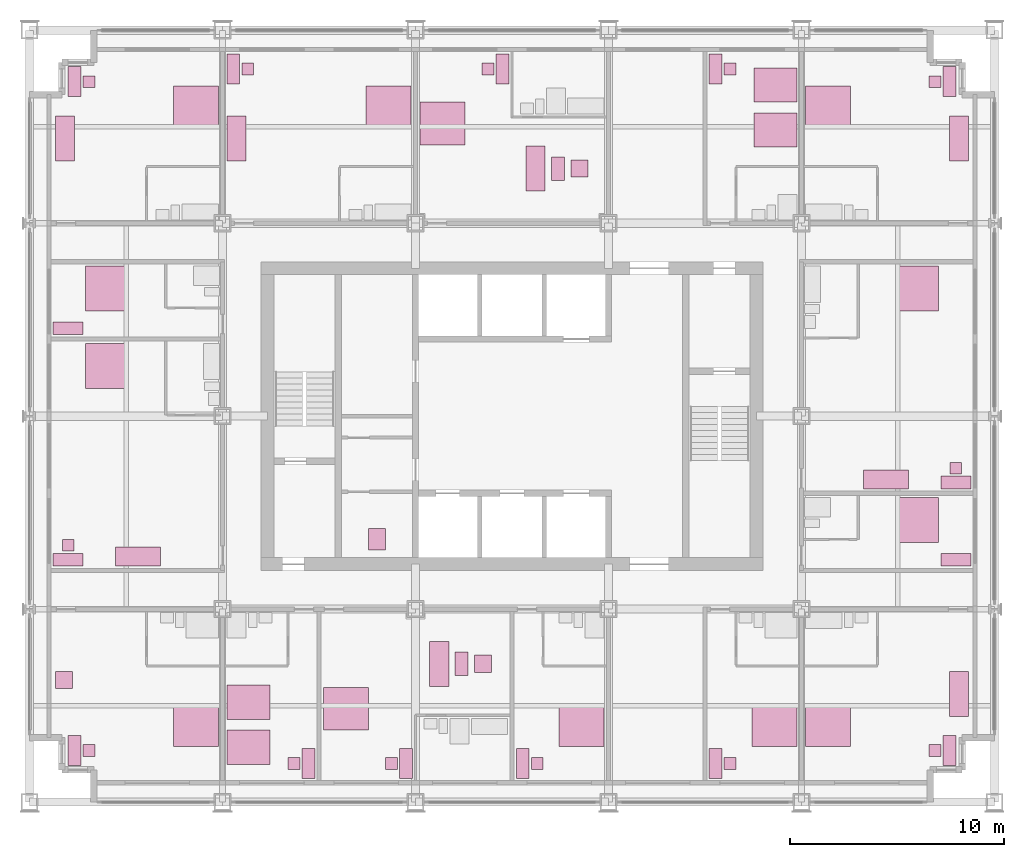
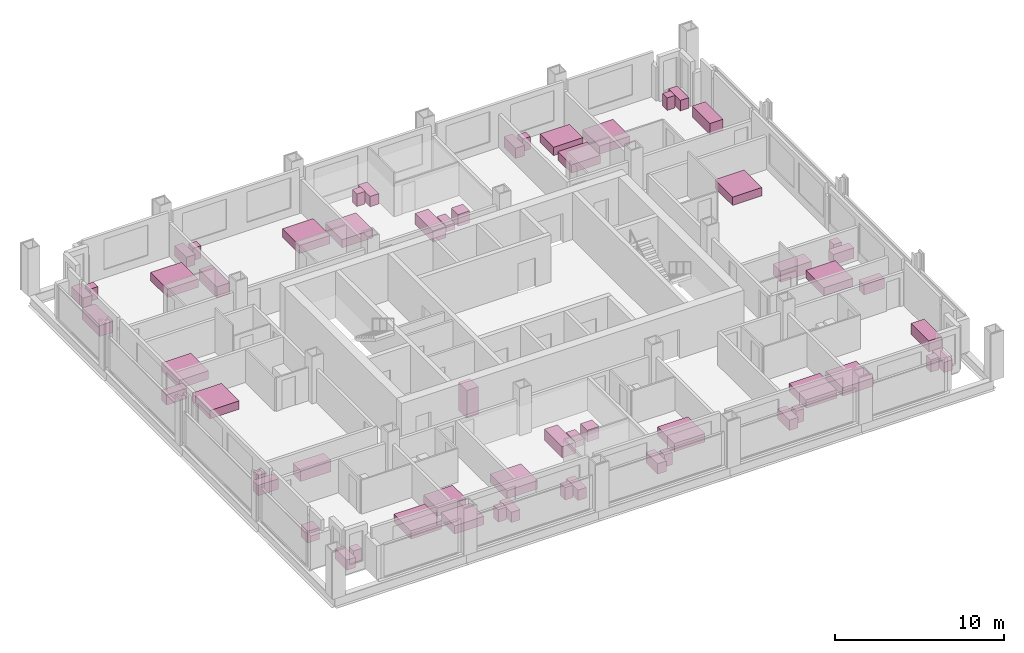
# One storey, part 16 of 16: 59 furniture elements.
"""IFC4 building model written with IfcOpenShell, lengths in metres."""

from ifc_helpers import new_model, si_unit, direction, frame, origin, origin_2d, place, context, subcontext, project, spatial, rectangle, extrude, element, save


model = new_model("IFC4")

# Units and contexts
model_context = context("Model", 3, precision=1e-05, world=origin(), true_north=direction((0.0, 1.0)))
body_context = subcontext(model_context, "Body", "Model", "MODEL_VIEW")
ifc_project = project(units=[si_unit("LENGTHUNIT", "METRE"), si_unit("AREAUNIT", "SQUARE_METRE"), si_unit("VOLUMEUNIT", "CUBIC_METRE"), si_unit("PLANEANGLEUNIT", "RADIAN"), si_unit("MASSUNIT", "GRAM", prefix="KILO")], contexts=[model_context])

# Site, building, storey
site_placement = place(None, origin())
site = spatial("IfcSite", under=ifc_project, at=site_placement, CompositionType="ELEMENT")
building_placement = place(site_placement, origin())
building = spatial("IfcBuilding", under=site, at=building_placement, Name="Loomwork Tower", CompositionType="ELEMENT")
storey_placement = place(building_placement, frame((0.0, 0.0, 118.0)))
storey = spatial("IfcBuildingStorey", under=building, at=storey_placement, Name="L31", CompositionType="ELEMENT", Elevation=118.0)

# Furniture
furniture_1_placement = place(storey_placement, frame((7.75, 3.60009765625, 0.0), z_axis=(0.0, 0.0, 1.0), x_axis=(1.0, 0.0, 0.0)))
element("IfcFurniture", 1, at=furniture_1_placement, inside=storey, Name="King bed L31", PredefinedType="BED", context=body_context, shape_type="SweptSolid", body=[
    extrude(rectangle(XDim=2.10009765625, YDim=2.0, at=origin_2d()), origin(), (0.0, 0.0, 1.0), 0.60009765625),
])
furniture_2_placement = place(storey_placement, frame((2.10009765625, 2.39990234375, 0.0), z_axis=(0.0, 0.0, 1.0), x_axis=(1.0, 0.0, 0.0)))
element("IfcFurniture", 2, at=furniture_2_placement, inside=storey, Name="Writing desk L31", PredefinedType="DESK", context=body_context, shape_type="SweptSolid", body=[
    extrude(rectangle(XDim=0.60009765625, YDim=1.39990234375, at=origin_2d()), origin(), (0.0, 0.0, 1.0), 0.75),
])
furniture_3_placement = place(storey_placement, frame((2.77490234375, 2.39990234375, 0.0), z_axis=(0.0, 0.0, 1.0), x_axis=(1.0, 0.0, 0.0)))
element("IfcFurniture", 3, at=furniture_3_placement, inside=storey, Name="Desk chair L31", PredefinedType="CHAIR", context=body_context, shape_type="SweptSolid", body=[
    extrude(rectangle(XDim=0.550048828125, YDim=0.550048828125, at=origin_2d()), origin(), (0.0, 0.0, 1.0), 0.89990234375),
])
furniture_4_placement = place(storey_placement, frame((1.60009765625, 5.699951171875, 0.0), z_axis=(0.0, 0.0, 1.0), x_axis=(1.0, 0.0, 0.0)))
element("IfcFurniture", 4, at=furniture_4_placement, inside=storey, Name="Lounge armchair L31", PredefinedType="CHAIR", context=body_context, shape_type="SweptSolid", body=[
    extrude(rectangle(XDim=0.800048828125, YDim=0.800048828125, at=origin_2d()), origin(), (0.0, 0.0, 1.0), 0.85009765625),
])
for number, where, z_axis, x_axis, name in (
    (5, (10.199951171875, 4.64990234375, 0.0), (0.0, 0.0, 1.0), (1.0, 0.0, 0.0), "Queen bed L31"),
    (6, (10.199951171875, 2.550048828125, 0.0), (0.0, 0.0, 1.0), (1.0, 0.0, 0.0), "Queen bed L31"),
):
    element("IfcFurniture", number, at=place(storey_placement, frame(where, z_axis=z_axis, x_axis=x_axis)), inside=storey, Name=name, PredefinedType="BED", context=body_context, shape_type="SweptSolid", body=[
        extrude(rectangle(XDim=2.0, YDim=1.60009765625, at=origin_2d()), origin(), (0.0, 0.0, 1.0), 0.60009765625),
    ])
furniture_5_placement = place(storey_placement, frame((13.0, 1.800048828125, 0.0), z_axis=(0.0, 0.0, 1.0), x_axis=(1.0, 0.0, 0.0)))
element("IfcFurniture", 7, at=furniture_5_placement, inside=storey, Name="Writing desk L31", PredefinedType="DESK", context=body_context, shape_type="SweptSolid", body=[
    extrude(rectangle(XDim=0.60009765625, YDim=1.39990234375, at=origin_2d()), origin(), (0.0, 0.0, 1.0), 0.75),
])
furniture_6_placement = place(storey_placement, frame((12.324951171875, 1.800048828125, 0.0), z_axis=(0.0, 0.0, 1.0), x_axis=(1.0, 0.0, 0.0)))
element("IfcFurniture", 8, at=furniture_6_placement, inside=storey, Name="Desk chair L31", PredefinedType="CHAIR", context=body_context, shape_type="SweptSolid", body=[
    extrude(rectangle(XDim=0.550048828125, YDim=0.550048828125, at=origin_2d()), origin(), (0.0, 0.0, 1.0), 0.89990234375),
])
furniture_7_placement = place(storey_placement, frame((14.75, 4.35009765625, 0.0), z_axis=(0.0, 0.0, 1.0), x_axis=(1.0, 0.0, 0.0)))
element("IfcFurniture", 9, at=furniture_7_placement, inside=storey, Name="King bed L31", PredefinedType="BED", context=body_context, shape_type="SweptSolid", body=[
    extrude(rectangle(XDim=2.10009765625, YDim=2.0, at=origin_2d()), origin(), (0.0, 0.0, 1.0), 0.60009765625),
])
furniture_8_placement = place(storey_placement, frame((17.550048828125, 1.800048828125, 0.0), z_axis=(0.0, 0.0, 1.0), x_axis=(1.0, 0.0, 0.0)))
element("IfcFurniture", 10, at=furniture_8_placement, inside=storey, Name="Writing desk L31", PredefinedType="DESK", context=body_context, shape_type="SweptSolid", body=[
    extrude(rectangle(XDim=0.60009765625, YDim=1.39990234375, at=origin_2d()), origin(), (0.0, 0.0, 1.0), 0.75),
])
furniture_9_placement = place(storey_placement, frame((16.875, 1.800048828125, 0.0), z_axis=(0.0, 0.0, 1.0), x_axis=(1.0, 0.0, 0.0)))
element("IfcFurniture", 11, at=furniture_9_placement, inside=storey, Name="Desk chair L31", PredefinedType="CHAIR", context=body_context, shape_type="SweptSolid", body=[
    extrude(rectangle(XDim=0.550048828125, YDim=0.550048828125, at=origin_2d()), origin(), (0.0, 0.0, 1.0), 0.89990234375),
])
furniture_10_placement = place(storey_placement, frame((19.10009765625, 6.449951171875, 0.0), z_axis=(0.0, 0.0, 1.0), x_axis=(1.0, 0.0, 0.0)))
element("IfcFurniture", 12, at=furniture_10_placement, inside=storey, Name="Sofa L31", PredefinedType="SOFA", context=body_context, shape_type="SweptSolid", body=[
    extrude(rectangle(XDim=0.89990234375, YDim=2.10009765625, at=origin_2d()), origin(), (0.0, 0.0, 1.0), 0.800048828125),
])
furniture_11_placement = place(storey_placement, frame((20.14990234375, 6.449951171875, 0.0), z_axis=(0.0, 0.0, 1.0), x_axis=(1.0, 0.0, 0.0)))
element("IfcFurniture", 13, at=furniture_11_placement, inside=storey, Name="Coffee table L31", PredefinedType="TABLE", context=body_context, shape_type="SweptSolid", body=[
    extrude(rectangle(XDim=0.60009765625, YDim=1.10009765625, at=origin_2d()), origin(), (0.0, 0.0, 1.0), 0.449951171875),
])
furniture_12_placement = place(storey_placement, frame((21.14990234375, 6.449951171875, 0.0), z_axis=(0.0, 0.0, 1.0), x_axis=(1.0, 0.0, 0.0)))
element("IfcFurniture", 14, at=furniture_12_placement, inside=storey, Name="Lounge armchair L31", PredefinedType="CHAIR", context=body_context, shape_type="SweptSolid", body=[
    extrude(rectangle(XDim=0.800048828125, YDim=0.800048828125, at=origin_2d()), origin(), (0.0, 0.0, 1.0), 0.85009765625),
])
furniture_13_placement = place(storey_placement, frame((25.75, 3.60009765625, 0.0), z_axis=(0.0, 0.0, 1.0), x_axis=(1.0, 0.0, 0.0)))
element("IfcFurniture", 15, at=furniture_13_placement, inside=storey, Name="King bed L31", PredefinedType="BED", context=body_context, shape_type="SweptSolid", body=[
    extrude(rectangle(XDim=2.10009765625, YDim=2.0, at=origin_2d()), origin(), (0.0, 0.0, 1.0), 0.60009765625),
])
furniture_14_placement = place(storey_placement, frame((23.0, 1.800048828125, 0.0), z_axis=(0.0, 0.0, 1.0), x_axis=(1.0, 0.0, 0.0)))
element("IfcFurniture", 16, at=furniture_14_placement, inside=storey, Name="Writing desk L31", PredefinedType="DESK", context=body_context, shape_type="SweptSolid", body=[
    extrude(rectangle(XDim=0.60009765625, YDim=1.39990234375, at=origin_2d()), origin(), (0.0, 0.0, 1.0), 0.75),
])
furniture_15_placement = place(storey_placement, frame((23.675048828125, 1.800048828125, 0.0), z_axis=(0.0, 0.0, 1.0), x_axis=(1.0, 0.0, 0.0)))
element("IfcFurniture", 17, at=furniture_15_placement, inside=storey, Name="Desk chair L31", PredefinedType="CHAIR", context=body_context, shape_type="SweptSolid", body=[
    extrude(rectangle(XDim=0.550048828125, YDim=0.550048828125, at=origin_2d()), origin(), (0.0, 0.0, 1.0), 0.89990234375),
])
furniture_16_placement = place(storey_placement, frame((34.75, 3.60009765625, 0.0), z_axis=(0.0, 0.0, 1.0), x_axis=(1.0, 0.0, 0.0)))
element("IfcFurniture", 18, at=furniture_16_placement, inside=storey, Name="King bed L31", PredefinedType="BED", context=body_context, shape_type="SweptSolid", body=[
    extrude(rectangle(XDim=2.10009765625, YDim=2.0, at=origin_2d()), origin(), (0.0, 0.0, 1.0), 0.60009765625),
])
furniture_17_placement = place(storey_placement, frame((32.0, 1.800048828125, 0.0), z_axis=(0.0, 0.0, 1.0), x_axis=(1.0, 0.0, 0.0)))
element("IfcFurniture", 19, at=furniture_17_placement, inside=storey, Name="Writing desk L31", PredefinedType="DESK", context=body_context, shape_type="SweptSolid", body=[
    extrude(rectangle(XDim=0.60009765625, YDim=1.39990234375, at=origin_2d()), origin(), (0.0, 0.0, 1.0), 0.75),
])
furniture_18_placement = place(storey_placement, frame((32.675048828125, 1.800048828125, 0.0), z_axis=(0.0, 0.0, 1.0), x_axis=(1.0, 0.0, 0.0)))
element("IfcFurniture", 20, at=furniture_18_placement, inside=storey, Name="Desk chair L31", PredefinedType="CHAIR", context=body_context, shape_type="SweptSolid", body=[
    extrude(rectangle(XDim=0.550048828125, YDim=0.550048828125, at=origin_2d()), origin(), (0.0, 0.0, 1.0), 0.89990234375),
])
furniture_19_placement = place(storey_placement, frame((37.25, 3.60009765625, 0.0), z_axis=(0.0, 0.0, 1.0), x_axis=(1.0, 0.0, 0.0)))
element("IfcFurniture", 21, at=furniture_19_placement, inside=storey, Name="King bed L31", PredefinedType="BED", context=body_context, shape_type="SweptSolid", body=[
    extrude(rectangle(XDim=2.10009765625, YDim=2.0, at=origin_2d()), origin(), (0.0, 0.0, 1.0), 0.60009765625),
])
furniture_20_placement = place(storey_placement, frame((42.89990234375, 2.39990234375, 0.0), z_axis=(0.0, 0.0, 1.0), x_axis=(1.0, 0.0, 0.0)))
element("IfcFurniture", 22, at=furniture_20_placement, inside=storey, Name="Writing desk L31", PredefinedType="DESK", context=body_context, shape_type="SweptSolid", body=[
    extrude(rectangle(XDim=0.60009765625, YDim=1.39990234375, at=origin_2d()), origin(), (0.0, 0.0, 1.0), 0.75),
])
furniture_21_placement = place(storey_placement, frame((42.22509765625, 2.39990234375, 0.0), z_axis=(0.0, 0.0, 1.0), x_axis=(1.0, 0.0, 0.0)))
element("IfcFurniture", 23, at=furniture_21_placement, inside=storey, Name="Desk chair L31", PredefinedType="CHAIR", context=body_context, shape_type="SweptSolid", body=[
    extrude(rectangle(XDim=0.550048828125, YDim=0.550048828125, at=origin_2d()), origin(), (0.0, 0.0, 1.0), 0.89990234375),
])
furniture_22_placement = place(storey_placement, frame((43.35009765625, 5.050048828125, 0.0), z_axis=(0.0, 0.0, 1.0), x_axis=(1.0, 0.0, 0.0)))
element("IfcFurniture", 24, at=furniture_22_placement, inside=storey, Name="Sofa L31", PredefinedType="SOFA", context=body_context, shape_type="SweptSolid", body=[
    extrude(rectangle(XDim=0.89990234375, YDim=2.10009765625, at=origin_2d()), origin(), (0.0, 0.0, 1.0), 0.800048828125),
])
furniture_23_placement = place(storey_placement, frame((7.75, 32.39990234375, 0.0), z_axis=(0.0, 0.0, 1.0), x_axis=(1.0, 0.0, 0.0)))
element("IfcFurniture", 25, at=furniture_23_placement, inside=storey, Name="King bed L31", PredefinedType="BED", context=body_context, shape_type="SweptSolid", body=[
    extrude(rectangle(XDim=2.10009765625, YDim=2.0, at=origin_2d()), origin(), (0.0, 0.0, 1.0), 0.60009765625),
])
furniture_24_placement = place(storey_placement, frame((2.10009765625, 33.60009765625, 0.0), z_axis=(0.0, 0.0, 1.0), x_axis=(1.0, 0.0, 0.0)))
element("IfcFurniture", 26, at=furniture_24_placement, inside=storey, Name="Writing desk L31", PredefinedType="DESK", context=body_context, shape_type="SweptSolid", body=[
    extrude(rectangle(XDim=0.60009765625, YDim=1.39990234375, at=origin_2d()), origin(), (0.0, 0.0, 1.0), 0.75),
])
furniture_25_placement = place(storey_placement, frame((2.77490234375, 33.60009765625, 0.0), z_axis=(0.0, 0.0, 1.0), x_axis=(1.0, 0.0, 0.0)))
element("IfcFurniture", 27, at=furniture_25_placement, inside=storey, Name="Desk chair L31", PredefinedType="CHAIR", context=body_context, shape_type="SweptSolid", body=[
    extrude(rectangle(XDim=0.550048828125, YDim=0.550048828125, at=origin_2d()), origin(), (0.0, 0.0, 1.0), 0.89990234375),
])
furniture_26_placement = place(storey_placement, frame((1.64990234375, 30.949951171875, 0.0), z_axis=(0.0, 0.0, 1.0), x_axis=(1.0, 0.0, 0.0)))
element("IfcFurniture", 28, at=furniture_26_placement, inside=storey, Name="Sofa L31", PredefinedType="SOFA", context=body_context, shape_type="SweptSolid", body=[
    extrude(rectangle(XDim=0.89990234375, YDim=2.10009765625, at=origin_2d()), origin(), (0.0, 0.0, 1.0), 0.800048828125),
])
furniture_27_placement = place(storey_placement, frame((16.75, 32.39990234375, 0.0), z_axis=(0.0, 0.0, 1.0), x_axis=(1.0, 0.0, 0.0)))
element("IfcFurniture", 29, at=furniture_27_placement, inside=storey, Name="King bed L31", PredefinedType="BED", context=body_context, shape_type="SweptSolid", body=[
    extrude(rectangle(XDim=2.10009765625, YDim=2.0, at=origin_2d()), origin(), (0.0, 0.0, 1.0), 0.60009765625),
])
furniture_28_placement = place(storey_placement, frame((9.5, 34.199951171875, 0.0), z_axis=(0.0, 0.0, 1.0), x_axis=(1.0, 0.0, 0.0)))
element("IfcFurniture", 30, at=furniture_28_placement, inside=storey, Name="Writing desk L31", PredefinedType="DESK", context=body_context, shape_type="SweptSolid", body=[
    extrude(rectangle(XDim=0.60009765625, YDim=1.39990234375, at=origin_2d()), origin(), (0.0, 0.0, 1.0), 0.75),
])
furniture_29_placement = place(storey_placement, frame((10.175048828125, 34.199951171875, 0.0), z_axis=(0.0, 0.0, 1.0), x_axis=(1.0, 0.0, 0.0)))
element("IfcFurniture", 31, at=furniture_29_placement, inside=storey, Name="Desk chair L31", PredefinedType="CHAIR", context=body_context, shape_type="SweptSolid", body=[
    extrude(rectangle(XDim=0.550048828125, YDim=0.550048828125, at=origin_2d()), origin(), (0.0, 0.0, 1.0), 0.89990234375),
])
furniture_30_placement = place(storey_placement, frame((9.64990234375, 30.949951171875, 0.0), z_axis=(0.0, 0.0, 1.0), x_axis=(1.0, 0.0, 0.0)))
element("IfcFurniture", 32, at=furniture_30_placement, inside=storey, Name="Sofa L31", PredefinedType="SOFA", context=body_context, shape_type="SweptSolid", body=[
    extrude(rectangle(XDim=0.89990234375, YDim=2.10009765625, at=origin_2d()), origin(), (0.0, 0.0, 1.0), 0.800048828125),
])
furniture_31_placement = place(storey_placement, frame((19.25, 31.64990234375, 0.0), z_axis=(0.0, 0.0, 1.0), x_axis=(1.0, 0.0, 0.0)))
element("IfcFurniture", 33, at=furniture_31_placement, inside=storey, Name="King bed L31", PredefinedType="BED", context=body_context, shape_type="SweptSolid", body=[
    extrude(rectangle(XDim=2.10009765625, YDim=2.0, at=origin_2d()), origin(), (0.0, 0.0, 1.0), 0.60009765625),
])
furniture_32_placement = place(storey_placement, frame((22.050048828125, 34.199951171875, 0.0), z_axis=(0.0, 0.0, 1.0), x_axis=(1.0, 0.0, 0.0)))
element("IfcFurniture", 34, at=furniture_32_placement, inside=storey, Name="Writing desk L31", PredefinedType="DESK", context=body_context, shape_type="SweptSolid", body=[
    extrude(rectangle(XDim=0.60009765625, YDim=1.39990234375, at=origin_2d()), origin(), (0.0, 0.0, 1.0), 0.75),
])
furniture_33_placement = place(storey_placement, frame((21.375, 34.199951171875, 0.0), z_axis=(0.0, 0.0, 1.0), x_axis=(1.0, 0.0, 0.0)))
element("IfcFurniture", 35, at=furniture_33_placement, inside=storey, Name="Desk chair L31", PredefinedType="CHAIR", context=body_context, shape_type="SweptSolid", body=[
    extrude(rectangle(XDim=0.550048828125, YDim=0.550048828125, at=origin_2d()), origin(), (0.0, 0.0, 1.0), 0.89990234375),
])
furniture_34_placement = place(storey_placement, frame((23.60009765625, 29.550048828125, 0.0), z_axis=(0.0, 0.0, 1.0), x_axis=(1.0, 0.0, 0.0)))
element("IfcFurniture", 36, at=furniture_34_placement, inside=storey, Name="Sofa L31", PredefinedType="SOFA", context=body_context, shape_type="SweptSolid", body=[
    extrude(rectangle(XDim=0.89990234375, YDim=2.10009765625, at=origin_2d()), origin(), (0.0, 0.0, 1.0), 0.800048828125),
])
furniture_35_placement = place(storey_placement, frame((24.64990234375, 29.550048828125, 0.0), z_axis=(0.0, 0.0, 1.0), x_axis=(1.0, 0.0, 0.0)))
element("IfcFurniture", 37, at=furniture_35_placement, inside=storey, Name="Coffee table L31", PredefinedType="TABLE", context=body_context, shape_type="SweptSolid", body=[
    extrude(rectangle(XDim=0.60009765625, YDim=1.10009765625, at=origin_2d()), origin(), (0.0, 0.0, 1.0), 0.449951171875),
])
furniture_36_placement = place(storey_placement, frame((25.64990234375, 29.550048828125, 0.0), z_axis=(0.0, 0.0, 1.0), x_axis=(1.0, 0.0, 0.0)))
element("IfcFurniture", 38, at=furniture_36_placement, inside=storey, Name="Lounge armchair L31", PredefinedType="CHAIR", context=body_context, shape_type="SweptSolid", body=[
    extrude(rectangle(XDim=0.800048828125, YDim=0.800048828125, at=origin_2d()), origin(), (0.0, 0.0, 1.0), 0.85009765625),
])
for number, where, z_axis, x_axis, name in (
    (39, (34.800048828125, 31.35009765625, 0.0), (0.0, 0.0, 1.0), (1.0, 0.0, 0.0), "Queen bed L31"),
    (40, (34.800048828125, 33.449951171875, 0.0), (0.0, 0.0, 1.0), (1.0, 0.0, 0.0), "Queen bed L31"),
):
    element("IfcFurniture", number, at=place(storey_placement, frame(where, z_axis=z_axis, x_axis=x_axis)), inside=storey, Name=name, PredefinedType="BED", context=body_context, shape_type="SweptSolid", body=[
        extrude(rectangle(XDim=2.0, YDim=1.60009765625, at=origin_2d()), origin(), (0.0, 0.0, 1.0), 0.60009765625),
    ])
furniture_37_placement = place(storey_placement, frame((32.0, 34.199951171875, 0.0), z_axis=(0.0, 0.0, 1.0), x_axis=(1.0, 0.0, 0.0)))
element("IfcFurniture", 41, at=furniture_37_placement, inside=storey, Name="Writing desk L31", PredefinedType="DESK", context=body_context, shape_type="SweptSolid", body=[
    extrude(rectangle(XDim=0.60009765625, YDim=1.39990234375, at=origin_2d()), origin(), (0.0, 0.0, 1.0), 0.75),
])
furniture_38_placement = place(storey_placement, frame((32.675048828125, 34.199951171875, 0.0), z_axis=(0.0, 0.0, 1.0), x_axis=(1.0, 0.0, 0.0)))
element("IfcFurniture", 42, at=furniture_38_placement, inside=storey, Name="Desk chair L31", PredefinedType="CHAIR", context=body_context, shape_type="SweptSolid", body=[
    extrude(rectangle(XDim=0.550048828125, YDim=0.550048828125, at=origin_2d()), origin(), (0.0, 0.0, 1.0), 0.89990234375),
])
furniture_39_placement = place(storey_placement, frame((37.25, 32.39990234375, 0.0), z_axis=(0.0, 0.0, 1.0), x_axis=(1.0, 0.0, 0.0)))
element("IfcFurniture", 43, at=furniture_39_placement, inside=storey, Name="King bed L31", PredefinedType="BED", context=body_context, shape_type="SweptSolid", body=[
    extrude(rectangle(XDim=2.10009765625, YDim=2.0, at=origin_2d()), origin(), (0.0, 0.0, 1.0), 0.60009765625),
])
furniture_40_placement = place(storey_placement, frame((42.89990234375, 33.60009765625, 0.0), z_axis=(0.0, 0.0, 1.0), x_axis=(1.0, 0.0, 0.0)))
element("IfcFurniture", 44, at=furniture_40_placement, inside=storey, Name="Writing desk L31", PredefinedType="DESK", context=body_context, shape_type="SweptSolid", body=[
    extrude(rectangle(XDim=0.60009765625, YDim=1.39990234375, at=origin_2d()), origin(), (0.0, 0.0, 1.0), 0.75),
])
furniture_41_placement = place(storey_placement, frame((42.22509765625, 33.60009765625, 0.0), z_axis=(0.0, 0.0, 1.0), x_axis=(1.0, 0.0, 0.0)))
element("IfcFurniture", 45, at=furniture_41_placement, inside=storey, Name="Desk chair L31", PredefinedType="CHAIR", context=body_context, shape_type="SweptSolid", body=[
    extrude(rectangle(XDim=0.550048828125, YDim=0.550048828125, at=origin_2d()), origin(), (0.0, 0.0, 1.0), 0.89990234375),
])
furniture_42_placement = place(storey_placement, frame((43.35009765625, 30.949951171875, 0.0), z_axis=(0.0, 0.0, 1.0), x_axis=(1.0, 0.0, 0.0)))
element("IfcFurniture", 46, at=furniture_42_placement, inside=storey, Name="Sofa L31", PredefinedType="SOFA", context=body_context, shape_type="SweptSolid", body=[
    extrude(rectangle(XDim=0.89990234375, YDim=2.10009765625, at=origin_2d()), origin(), (0.0, 0.0, 1.0), 0.800048828125),
])
furniture_43_placement = place(storey_placement, frame((3.60009765625, 20.35009765625, 0.0), z_axis=(0.0, 0.0, 1.0), x_axis=(1.0, 0.0, 0.0)))
element("IfcFurniture", 47, at=furniture_43_placement, inside=storey, Name="King bed L31", PredefinedType="BED", context=body_context, shape_type="SweptSolid", body=[
    extrude(rectangle(XDim=2.0, YDim=2.10009765625, at=origin_2d()), origin(), (0.0, 0.0, 1.0), 0.60009765625),
])
furniture_44_placement = place(storey_placement, frame((1.800048828125, 11.300048828125, 0.0), z_axis=(0.0, 0.0, 1.0), x_axis=(1.0, 0.0, 0.0)))
element("IfcFurniture", 48, at=furniture_44_placement, inside=storey, Name="Writing desk L31", PredefinedType="DESK", context=body_context, shape_type="SweptSolid", body=[
    extrude(rectangle(XDim=1.39990234375, YDim=0.60009765625, at=origin_2d()), origin(), (0.0, 0.0, 1.0), 0.75),
])
furniture_45_placement = place(storey_placement, frame((1.800048828125, 11.97509765625, 0.0), z_axis=(0.0, 0.0, 1.0), x_axis=(1.0, 0.0, 0.0)))
element("IfcFurniture", 49, at=furniture_45_placement, inside=storey, Name="Desk chair L31", PredefinedType="CHAIR", context=body_context, shape_type="SweptSolid", body=[
    extrude(rectangle(XDim=0.550048828125, YDim=0.550048828125, at=origin_2d()), origin(), (0.0, 0.0, 1.0), 0.89990234375),
])
furniture_46_placement = place(storey_placement, frame((5.050048828125, 11.449951171875, 0.0), z_axis=(0.0, 0.0, 1.0), x_axis=(1.0, 0.0, 0.0)))
element("IfcFurniture", 50, at=furniture_46_placement, inside=storey, Name="Sofa L31", PredefinedType="SOFA", context=body_context, shape_type="SweptSolid", body=[
    extrude(rectangle(XDim=2.10009765625, YDim=0.89990234375, at=origin_2d()), origin(), (0.0, 0.0, 1.0), 0.800048828125),
])
furniture_47_placement = place(storey_placement, frame((3.60009765625, 23.949951171875, 0.0), z_axis=(0.0, 0.0, 1.0), x_axis=(1.0, 0.0, 0.0)))
element("IfcFurniture", 51, at=furniture_47_placement, inside=storey, Name="King bed L31", PredefinedType="BED", context=body_context, shape_type="SweptSolid", body=[
    extrude(rectangle(XDim=2.0, YDim=2.10009765625, at=origin_2d()), origin(), (0.0, 0.0, 1.0), 0.60009765625),
])
furniture_48_placement = place(storey_placement, frame((1.800048828125, 22.10009765625, 0.0), z_axis=(0.0, 0.0, 1.0), x_axis=(1.0, 0.0, 0.0)))
element("IfcFurniture", 52, at=furniture_48_placement, inside=storey, Name="Writing desk L31", PredefinedType="DESK", context=body_context, shape_type="SweptSolid", body=[
    extrude(rectangle(XDim=1.39990234375, YDim=0.60009765625, at=origin_2d()), origin(), (0.0, 0.0, 1.0), 0.75),
])
furniture_49_placement = place(storey_placement, frame((41.39990234375, 13.14990234375, 0.0), z_axis=(0.0, 0.0, 1.0), x_axis=(1.0, 0.0, 0.0)))
element("IfcFurniture", 53, at=furniture_49_placement, inside=storey, Name="King bed L31", PredefinedType="BED", context=body_context, shape_type="SweptSolid", body=[
    extrude(rectangle(XDim=2.0, YDim=2.10009765625, at=origin_2d()), origin(), (0.0, 0.0, 1.0), 0.60009765625),
])
furniture_50_placement = place(storey_placement, frame((43.199951171875, 11.300048828125, 0.0), z_axis=(0.0, 0.0, 1.0), x_axis=(1.0, 0.0, 0.0)))
element("IfcFurniture", 54, at=furniture_50_placement, inside=storey, Name="Writing desk L31", PredefinedType="DESK", context=body_context, shape_type="SweptSolid", body=[
    extrude(rectangle(XDim=1.39990234375, YDim=0.60009765625, at=origin_2d()), origin(), (0.0, 0.0, 1.0), 0.75),
])
furniture_51_placement = place(storey_placement, frame((41.39990234375, 23.949951171875, 0.0), z_axis=(0.0, 0.0, 1.0), x_axis=(1.0, 0.0, 0.0)))
element("IfcFurniture", 55, at=furniture_51_placement, inside=storey, Name="King bed L31", PredefinedType="BED", context=body_context, shape_type="SweptSolid", body=[
    extrude(rectangle(XDim=2.0, YDim=2.10009765625, at=origin_2d()), origin(), (0.0, 0.0, 1.0), 0.60009765625),
])
furniture_52_placement = place(storey_placement, frame((43.199951171875, 14.89990234375, 0.0), z_axis=(0.0, 0.0, 1.0), x_axis=(1.0, 0.0, 0.0)))
element("IfcFurniture", 56, at=furniture_52_placement, inside=storey, Name="Writing desk L31", PredefinedType="DESK", context=body_context, shape_type="SweptSolid", body=[
    extrude(rectangle(XDim=1.39990234375, YDim=0.60009765625, at=origin_2d()), origin(), (0.0, 0.0, 1.0), 0.75),
])
furniture_53_placement = place(storey_placement, frame((43.199951171875, 15.574951171875, 0.0), z_axis=(0.0, 0.0, 1.0), x_axis=(1.0, 0.0, 0.0)))
element("IfcFurniture", 57, at=furniture_53_placement, inside=storey, Name="Desk chair L31", PredefinedType="CHAIR", context=body_context, shape_type="SweptSolid", body=[
    extrude(rectangle(XDim=0.550048828125, YDim=0.550048828125, at=origin_2d()), origin(), (0.0, 0.0, 1.0), 0.89990234375),
])
furniture_54_placement = place(storey_placement, frame((39.949951171875, 15.050048828125, 0.0), z_axis=(0.0, 0.0, 1.0), x_axis=(1.0, 0.0, 0.0)))
element("IfcFurniture", 58, at=furniture_54_placement, inside=storey, Name="Sofa L31", PredefinedType="SOFA", context=body_context, shape_type="SweptSolid", body=[
    extrude(rectangle(XDim=2.10009765625, YDim=0.89990234375, at=origin_2d()), origin(), (0.0, 0.0, 1.0), 0.800048828125),
])
furniture_55_placement = place(storey_placement, frame((16.199951171875, 12.25, 0.0), z_axis=(0.0, 0.0, 1.0), x_axis=(1.0, 0.0, 0.0)))
element("IfcFurniture", 59, at=furniture_55_placement, inside=storey, Name="Data cabinet L31", ObjectType="DATA CABINET", PredefinedType="USERDEFINED", context=body_context, shape_type="SweptSolid", body=[
    extrude(rectangle(XDim=0.800048828125, YDim=1.0, at=origin_2d()), origin(), (0.0, 0.0, 1.0), 2.0),
])

save(model, "model.ifc")
